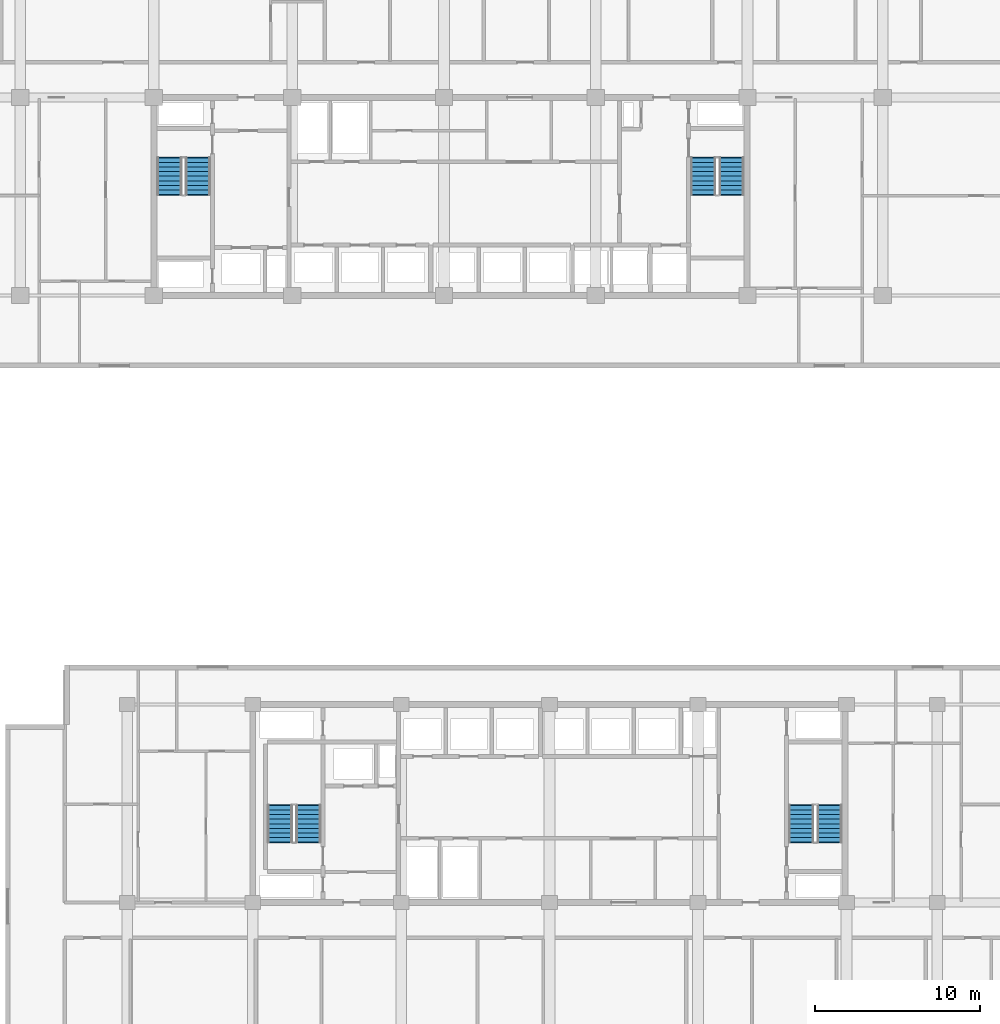
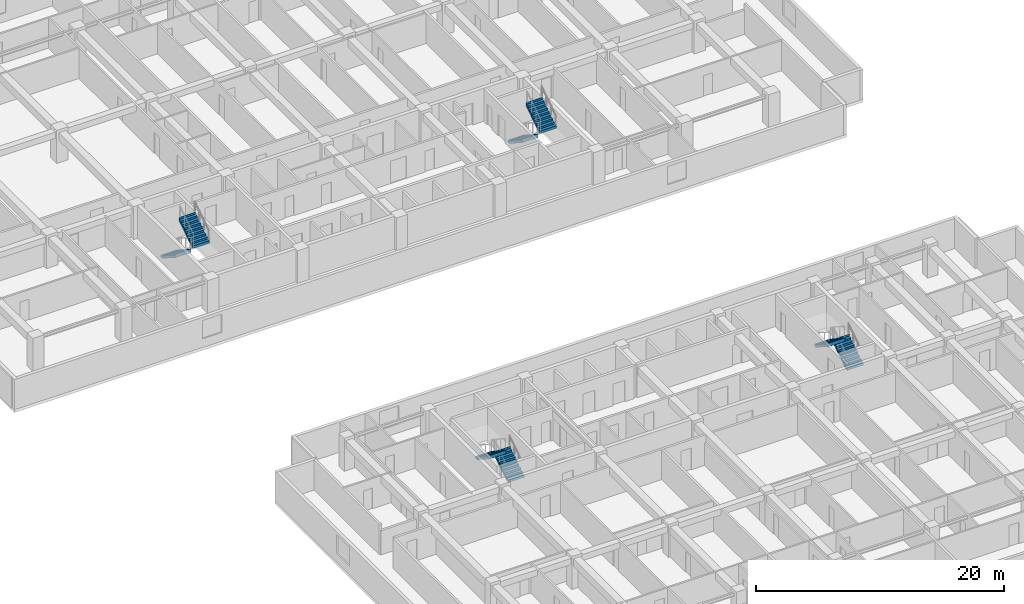
# One storey, part 19 of 24: 8 stair flights, 4 elements without a shape of their own.
"""IFC4 building model written with IfcOpenShell, lengths in metres."""

import ifcopenshell
import ifcopenshell.guid

model = None  # the IFC model being written
_history = None  # IfcOwnerHistory: only IFC2X3 demands one
_inside = {}  # id of a spatial element -> (the spatial element, [elements in it])
_under = {}  # id of a project, library or spatial element -> (it, [spatial elements below it])
_declared = {}  # id of a project -> (the project, [libraries it declares])
_typed = {}  # id of a type object -> (the type object, [elements of that type])
_made_of = {}  # id of a material, layer set ... -> (it, [elements and type objects made of it])


def new_model(schema):
    """Start an empty IFC model of exactly this schema.

    Asked for "IFC4X3", IfcOpenShell would pick the latest addendum, in which some entities
    have other attributes; the version numbers below select the first issue.
    IFC2X3 requires an IfcOwnerHistory on every rooted entity: one is made here for all.
    """
    global model, _history
    if schema == "IFC4X3":
        model = ifcopenshell.file(schema_version=(4, 3, 0, 0))
    else:
        model = ifcopenshell.file(schema=schema)
    _inside.clear()
    _under.clear()
    _declared.clear()
    _typed.clear()
    _made_of.clear()
    _history = None
    if model.schema == "IFC2X3":
        org = make("IfcOrganization", Name="unknown")
        user = make(
            "IfcPersonAndOrganization",
            ThePerson=make("IfcPerson", FamilyName="unknown"),
            TheOrganization=org,
        )
        app = make(
            "IfcApplication",
            ApplicationDeveloper=org,
            Version="unknown",
            ApplicationFullName="unknown",
            ApplicationIdentifier="unknown",
        )
        _history = make(
            "IfcOwnerHistory",
            OwningUser=user,
            OwningApplication=app,
            ChangeAction="ADDED",
            CreationDate=0,
        )
    return model


def make(cls, **values):
    """One entity of the class cls with the attributes given. An attribute that is None is left unset."""
    return model.create_entity(
        cls, **{name: value for name, value in values.items() if value is not None}
    )


def rooted(cls, **values):
    """An entity with a GlobalId (a new one), such as an element, a storey or a relation."""
    return make(cls, GlobalId=ifcopenshell.guid.new(), OwnerHistory=_history, **values)


def si_unit(unit_type, name, prefix=None):
    """IfcSIUnit, for example si_unit("LENGTHUNIT", "METRE", prefix="MILLI")."""
    return make("IfcSIUnit", UnitType=unit_type, Prefix=prefix, Name=name)


def assignment(units):
    """IfcUnitAssignment: the units of a project."""
    return None if units is None else make("IfcUnitAssignment", Units=units)


def point(xyz):
    """IfcCartesianPoint."""
    return None if xyz is None else make("IfcCartesianPoint", Coordinates=xyz)


def direction(xyz):
    """IfcDirection."""
    return None if xyz is None else make("IfcDirection", DirectionRatios=xyz)


def frame(location, z_axis=None, x_axis=None):
    """IfcAxis2Placement3D, a coordinate frame: its origin and axes. An axis left out is left unset."""
    return make(
        "IfcAxis2Placement3D",
        Location=point(location),
        Axis=direction(z_axis),
        RefDirection=direction(x_axis),
    )


def origin():
    """The frame at (0, 0, 0) with its axes left unset."""
    return frame((0.0, 0.0, 0.0))


def place(relative_to, where):
    """IfcLocalPlacement: puts the frame where relative to a parent placement (None: the world)."""
    return make(
        "IfcLocalPlacement", PlacementRelTo=relative_to, RelativePlacement=where
    )


def context(
    kind, dimensions, precision=None, world=None, true_north=None, identifier=None
):
    """IfcGeometricRepresentationContext, for example the 3D "Model" context."""
    return make(
        "IfcGeometricRepresentationContext",
        ContextIdentifier=identifier,
        ContextType=kind,
        CoordinateSpaceDimension=dimensions,
        Precision=precision,
        WorldCoordinateSystem=world,
        TrueNorth=true_north,
    )


def subcontext(parent, identifier, kind, view, scale=None):
    """IfcGeometricRepresentationSubContext, for example "Body" below "Model"."""
    return make(
        "IfcGeometricRepresentationSubContext",
        ContextIdentifier=identifier,
        ContextType=kind,
        ParentContext=parent,
        TargetScale=scale,
        TargetView=view,
    )


def project(units=None, contexts=None):
    """IfcProject with its units and contexts."""
    return rooted(
        "IfcProject",
        Name="project",
        RepresentationContexts=contexts,
        UnitsInContext=assignment(units),
    )


def spatial(cls, under=None, at=None, **own):
    """A site, building, storey or space (cls), placed at a placement, below another one or the project."""
    s = rooted(cls, ObjectPlacement=at, **own)
    if under is not None:
        _under.setdefault(under.id(), (under, []))[1].append(s)
    return s


def polyline(points):
    """IfcPolyline through the points."""
    return make("IfcPolyline", Points=[point(p) for p in points])


def outline(outer, holes=None, kind="AREA"):
    """IfcArbitraryClosedProfileDef: a profile drawn as a closed curve; with holes, ...WithVoids."""
    if holes is None:
        return make("IfcArbitraryClosedProfileDef", ProfileType=kind, OuterCurve=outer)
    return make(
        "IfcArbitraryProfileDefWithVoids",
        ProfileType=kind,
        OuterCurve=outer,
        InnerCurves=holes,
    )


def extrude(swept, where, along, depth):
    """IfcExtrudedAreaSolid: the profile swept, set in the frame where, extruded along a direction by depth."""
    return make(
        "IfcExtrudedAreaSolid",
        SweptArea=swept,
        Position=where,
        ExtrudedDirection=direction(along),
        Depth=depth,
    )


def shape(context_of_items, identifier, shape_type, items):
    """IfcShapeRepresentation: the items that make up one representation, for example the "Body"."""
    return make(
        "IfcShapeRepresentation",
        ContextOfItems=context_of_items,
        RepresentationIdentifier=identifier,
        RepresentationType=shape_type,
        Items=items,
    )


def material(Name=None, Category=None):
    """IfcMaterial."""
    return make("IfcMaterial", Name=Name, Category=Category)


def made_of(thing, what):
    """Note that an element or type object is made of a material, layer set ...; save() writes the relation."""
    if what is not None:
        _made_of.setdefault(what.id(), (what, []))[1].append(thing)
    return thing


def type_object(cls, material=None, **own):
    """A type object (cls), such as IfcWallType, which elements share."""
    return made_of(rooted(cls, **own), material)


def element(
    cls,
    number,
    at=None,
    inside=None,
    cuts=None,
    type_object=None,
    material=None,
    context=None,
    identifier="Body",
    shape_type=None,
    held_by="IfcProductDefinitionShape",
    body=None,
    shapes=None,
    **own,
):
    """One element of the class cls, such as IfcWall. Its Tag is "e" and its number.

    at: its placement. inside: the storey or other place that contains it. cuts: it is an
    opening in that element (IfcRelVoidsElement). A single representation is given by context,
    identifier, shape_type and body (its items); several are given by shapes. held_by: the class
    of the entity that holds the representations. save() writes the other relations.
    """
    e = rooted(cls, Tag="e%d" % number, ObjectPlacement=at, **own)
    if body is not None:
        shapes = [shape(context, identifier, shape_type, body)]
    if shapes is not None:
        e.Representation = make(held_by, Representations=shapes)
    if inside is not None:
        _inside.setdefault(inside.id(), (inside, []))[1].append(e)
    if cuts is not None:
        rooted(
            "IfcRelVoidsElement", RelatingBuildingElement=cuts, RelatedOpeningElement=e
        )
    if type_object is not None:
        _typed.setdefault(type_object.id(), (type_object, []))[1].append(e)
    return made_of(e, material)


def aggregate(whole, parts):
    """IfcRelAggregates: a whole, such as a stair, and the parts it consists of."""
    return rooted("IfcRelAggregates", RelatingObject=whole, RelatedObjects=parts)


def save(model, path):
    """Write the relations noted so far, then the file.

    IfcRelAggregates (storeys below a building ...), IfcRelContainedInSpatialStructure (elements
    in a storey), IfcRelDefinesByType, IfcRelAssociatesMaterial and IfcRelDeclares: one each for
    every whole, place, type object, material and project.
    """
    for whole, parts in _under.values():
        aggregate(whole, parts)
    for where, things in _inside.values():
        rooted(
            "IfcRelContainedInSpatialStructure",
            RelatedElements=things,
            RelatingStructure=where,
        )
    for kind, things in _typed.values():
        rooted("IfcRelDefinesByType", RelatedObjects=things, RelatingType=kind)
    for what, things in _made_of.values():
        rooted("IfcRelAssociatesMaterial", RelatedObjects=things, RelatingMaterial=what)
    for by, libraries in _declared.values():
        rooted("IfcRelDeclares", RelatingContext=by, RelatedDefinitions=libraries)
    model.write(path)


model = new_model("IFC4")

# Units and contexts
model_context = context("Model", 3, precision=1e-05, world=origin(), true_north=direction((0.0, 1.0)))
body_context = subcontext(model_context, "Body", "Model", "MODEL_VIEW")
ifc_project = project(units=[si_unit("LENGTHUNIT", "METRE"), si_unit("AREAUNIT", "SQUARE_METRE"), si_unit("VOLUMEUNIT", "CUBIC_METRE"), si_unit("PLANEANGLEUNIT", "RADIAN"), si_unit("MASSUNIT", "GRAM", prefix="KILO")], contexts=[model_context])

# Site, building, storey
site_placement = place(None, origin())
site = spatial("IfcSite", under=ifc_project, at=site_placement, CompositionType="ELEMENT")
building_placement = place(site_placement, origin())
building = spatial("IfcBuilding", under=site, at=building_placement, Name="Korimba Cascade Residences", CompositionType="ELEMENT")
storey_placement = place(building_placement, frame((0.0, 0.0, 63.0)))
storey = spatial("IfcBuildingStorey", under=building, at=storey_placement, Name="L17", CompositionType="ELEMENT", Elevation=63.0)

# Stair, stair flights
ifc_material = material(Name="Concrete C50/60", Category="concrete")
stair_type_1 = type_object("IfcStairType", Name="STR-W1-18R-1806", PredefinedType="HALF_TURN_STAIR", material=ifc_material)
stair_1_placement = place(storey_placement, origin())
stair_1 = element("IfcStair", 1, at=stair_1_placement, inside=storey, type_object=stair_type_1, Name="L17 Tower 1 West Fire Stair ST-W1", PredefinedType="HALF_TURN_STAIR")
stair_flight_type = type_object("IfcStairFlightType", Name="STF-DL-18R-1806-1520", PredefinedType="STRAIGHT", material=ifc_material)
stair_flight_1_placement = place(storey_placement, frame((77.06005859375, 63.550048828125, 0.0), z_axis=(0.0, 0.0, 1.0), x_axis=(0.0, -1.0, 0.0)))
stair_flight_1 = element("IfcStairFlight", 2, at=stair_flight_1_placement, type_object=stair_flight_type, Name="ST-W1 flight 1", NumberOfRisers=9, NumberOfTreads=8, PredefinedType="STRAIGHT", RiserHeight=0.180555556, TreadLength=0.28, context=body_context, shape_type="SweptSolid", body=[
    extrude(outline(polyline([(-0.0380859375, 0.0), (0.0, 0.1806640625), (0.280029296875, 0.1806640625), (0.280029296875, 0.361083984375), (0.56005859375, 0.361083984375), (0.56005859375, 0.541748046875), (0.840087890625, 0.541748046875), (0.840087890625, 0.72216796875), (1.1201171875, 0.72216796875), (1.1201171875, 0.90283203125), (1.39990234375, 0.90283203125), (1.39990234375, 1.083251953125), (1.679931640625, 1.083251953125), (1.679931640625, 1.263916015625), (1.9599609375, 1.263916015625), (1.9599609375, 1.4443359375), (2.239990234375, 1.4443359375), (2.239990234375, 1.625), (2.278076171875, 1.625), (2.278076171875, 1.26611328125), (0.276611328125, 0.0), (0.276611328125, -0.0380859375), (-0.0380859375, -0.0380859375), (-0.0380859375, 0.0)])), frame((0.0, 0.760009765625, 0.0), z_axis=(0.0, -1.0, 0.0), x_axis=(1.0, 0.0, 0.0)), (0.0, 0.0, 1.0), 1.52001953125),
])
stair_flight_2_placement = place(storey_placement, frame((78.780029296875, 61.31005859375, 1.625), z_axis=(0.0, 0.0, 1.0), x_axis=(0.0, 1.0, 0.0)))
stair_flight_2 = element("IfcStairFlight", 3, at=stair_flight_2_placement, type_object=stair_flight_type, Name="ST-W1 flight 2", NumberOfRisers=9, NumberOfTreads=8, PredefinedType="STRAIGHT", RiserHeight=0.180555556, TreadLength=0.28, context=body_context, shape_type="SweptSolid", body=[
    extrude(outline(polyline([(-0.0380859375, 0.0), (0.0, 0.1806640625), (0.280029296875, 0.1806640625), (0.280029296875, 0.361083984375), (0.56005859375, 0.361083984375), (0.56005859375, 0.541748046875), (0.840087890625, 0.541748046875), (0.840087890625, 0.72216796875), (1.1201171875, 0.72216796875), (1.1201171875, 0.90283203125), (1.39990234375, 0.90283203125), (1.39990234375, 1.083251953125), (1.679931640625, 1.083251953125), (1.679931640625, 1.263916015625), (1.9599609375, 1.263916015625), (1.9599609375, 1.4443359375), (2.239990234375, 1.4443359375), (2.239990234375, 1.625), (2.278076171875, 1.625), (2.278076171875, 1.26611328125), (0.276611328125, 0.0), (0.276611328125, -0.0380859375), (-0.0380859375, -0.0380859375), (-0.0380859375, 0.0)])), frame((0.0, 0.760009765625, 0.0), z_axis=(0.0, -1.0, 0.0), x_axis=(1.0, 0.0, 0.0)), (0.0, 0.0, 1.0), 1.52001953125),
])
aggregate(stair_1, [stair_flight_1, stair_flight_2])

stair_type_2 = type_object("IfcStairType", Name="STR-W2-18R-1806", PredefinedType="HALF_TURN_STAIR", material=ifc_material)
stair_2_placement = place(storey_placement, origin())
stair_2 = element("IfcStair", 4, at=stair_2_placement, inside=storey, type_object=stair_type_2, Name="L17 Tower 1 East Fire Stair ST-W2", PredefinedType="HALF_TURN_STAIR")
stair_flight_3_placement = place(storey_placement, frame((109.419921875, 63.550048828125, 0.0), z_axis=(0.0, 0.0, 1.0), x_axis=(0.0, -1.0, 0.0)))
stair_flight_3 = element("IfcStairFlight", 5, at=stair_flight_3_placement, type_object=stair_flight_type, Name="ST-W2 flight 1", NumberOfRisers=9, NumberOfTreads=8, PredefinedType="STRAIGHT", RiserHeight=0.180555556, TreadLength=0.28, context=body_context, shape_type="SweptSolid", body=[
    extrude(outline(polyline([(-0.0380859375, 0.0), (0.0, 0.1806640625), (0.280029296875, 0.1806640625), (0.280029296875, 0.361083984375), (0.56005859375, 0.361083984375), (0.56005859375, 0.541748046875), (0.840087890625, 0.541748046875), (0.840087890625, 0.72216796875), (1.1201171875, 0.72216796875), (1.1201171875, 0.90283203125), (1.39990234375, 0.90283203125), (1.39990234375, 1.083251953125), (1.679931640625, 1.083251953125), (1.679931640625, 1.263916015625), (1.9599609375, 1.263916015625), (1.9599609375, 1.4443359375), (2.239990234375, 1.4443359375), (2.239990234375, 1.625), (2.278076171875, 1.625), (2.278076171875, 1.26611328125), (0.276611328125, 0.0), (0.276611328125, -0.0380859375), (-0.0380859375, -0.0380859375), (-0.0380859375, 0.0)])), frame((0.0, 0.760009765625, 0.0), z_axis=(0.0, -1.0, 0.0), x_axis=(1.0, 0.0, 0.0)), (0.0, 0.0, 1.0), 1.52001953125),
])
stair_flight_4_placement = place(storey_placement, frame((111.139892578125, 61.31005859375, 1.625), z_axis=(0.0, 0.0, 1.0), x_axis=(0.0, 1.0, 0.0)))
stair_flight_4 = element("IfcStairFlight", 6, at=stair_flight_4_placement, type_object=stair_flight_type, Name="ST-W2 flight 2", NumberOfRisers=9, NumberOfTreads=8, PredefinedType="STRAIGHT", RiserHeight=0.180555556, TreadLength=0.28, context=body_context, shape_type="SweptSolid", body=[
    extrude(outline(polyline([(-0.0380859375, 0.0), (0.0, 0.1806640625), (0.280029296875, 0.1806640625), (0.280029296875, 0.361083984375), (0.56005859375, 0.361083984375), (0.56005859375, 0.541748046875), (0.840087890625, 0.541748046875), (0.840087890625, 0.72216796875), (1.1201171875, 0.72216796875), (1.1201171875, 0.90283203125), (1.39990234375, 0.90283203125), (1.39990234375, 1.083251953125), (1.679931640625, 1.083251953125), (1.679931640625, 1.263916015625), (1.9599609375, 1.263916015625), (1.9599609375, 1.4443359375), (2.239990234375, 1.4443359375), (2.239990234375, 1.625), (2.278076171875, 1.625), (2.278076171875, 1.26611328125), (0.276611328125, 0.0), (0.276611328125, -0.0380859375), (-0.0380859375, -0.0380859375), (-0.0380859375, 0.0)])), frame((0.0, 0.760009765625, 0.0), z_axis=(0.0, -1.0, 0.0), x_axis=(1.0, 0.0, 0.0)), (0.0, 0.0, 1.0), 1.52001953125),
])
aggregate(stair_2, [stair_flight_3, stair_flight_4])

stair_type_3 = type_object("IfcStairType", Name="STR-E1-18R-1806", PredefinedType="HALF_TURN_STAIR", material=ifc_material)
stair_3_placement = place(storey_placement, origin())
stair_3 = element("IfcStair", 7, at=stair_3_placement, inside=storey, type_object=stair_type_3, Name="L17 Tower 2 West Fire Stair ST-E1", PredefinedType="HALF_TURN_STAIR")
stair_flight_5_placement = place(storey_placement, frame((85.47998046875, 22.050048828125, 0.0), z_axis=(0.0, 0.0, 1.0), x_axis=(0.0, 1.0, 0.0)))
stair_flight_5 = element("IfcStairFlight", 8, at=stair_flight_5_placement, type_object=stair_flight_type, Name="ST-E1 flight 1", NumberOfRisers=9, NumberOfTreads=8, PredefinedType="STRAIGHT", RiserHeight=0.180555556, TreadLength=0.28, context=body_context, shape_type="SweptSolid", body=[
    extrude(outline(polyline([(-0.0380859375, 0.0), (0.0, 0.1806640625), (0.280029296875, 0.1806640625), (0.280029296875, 0.361083984375), (0.56005859375, 0.361083984375), (0.56005859375, 0.541748046875), (0.840087890625, 0.541748046875), (0.840087890625, 0.72216796875), (1.1201171875, 0.72216796875), (1.1201171875, 0.90283203125), (1.39990234375, 0.90283203125), (1.39990234375, 1.083251953125), (1.679931640625, 1.083251953125), (1.679931640625, 1.263916015625), (1.9599609375, 1.263916015625), (1.9599609375, 1.4443359375), (2.239990234375, 1.4443359375), (2.239990234375, 1.625), (2.278076171875, 1.625), (2.278076171875, 1.26611328125), (0.276611328125, 0.0), (0.276611328125, -0.0380859375), (-0.0380859375, -0.0380859375), (-0.0380859375, 0.0)])), frame((0.0, 0.760009765625, 0.0), z_axis=(0.0, -1.0, 0.0), x_axis=(1.0, 0.0, 0.0)), (0.0, 0.0, 1.0), 1.52001953125),
])
stair_flight_6_placement = place(storey_placement, frame((83.760009765625, 24.2900390625, 1.625), z_axis=(0.0, 0.0, 1.0), x_axis=(0.0, -1.0, 0.0)))
stair_flight_6 = element("IfcStairFlight", 9, at=stair_flight_6_placement, type_object=stair_flight_type, Name="ST-E1 flight 2", NumberOfRisers=9, NumberOfTreads=8, PredefinedType="STRAIGHT", RiserHeight=0.180555556, TreadLength=0.28, context=body_context, shape_type="SweptSolid", body=[
    extrude(outline(polyline([(-0.0380859375, 0.0), (0.0, 0.1806640625), (0.280029296875, 0.1806640625), (0.280029296875, 0.361083984375), (0.56005859375, 0.361083984375), (0.56005859375, 0.541748046875), (0.840087890625, 0.541748046875), (0.840087890625, 0.72216796875), (1.1201171875, 0.72216796875), (1.1201171875, 0.90283203125), (1.39990234375, 0.90283203125), (1.39990234375, 1.083251953125), (1.679931640625, 1.083251953125), (1.679931640625, 1.263916015625), (1.9599609375, 1.263916015625), (1.9599609375, 1.4443359375), (2.239990234375, 1.4443359375), (2.239990234375, 1.625), (2.278076171875, 1.625), (2.278076171875, 1.26611328125), (0.276611328125, 0.0), (0.276611328125, -0.0380859375), (-0.0380859375, -0.0380859375), (-0.0380859375, 0.0)])), frame((0.0, 0.760009765625, 0.0), z_axis=(0.0, -1.0, 0.0), x_axis=(1.0, 0.0, 0.0)), (0.0, 0.0, 1.0), 1.52001953125),
])
aggregate(stair_3, [stair_flight_5, stair_flight_6])

stair_type_4 = type_object("IfcStairType", Name="STR-E2-18R-1806", PredefinedType="HALF_TURN_STAIR", material=ifc_material)
stair_4_placement = place(storey_placement, origin())
stair_4 = element("IfcStair", 10, at=stair_4_placement, inside=storey, type_object=stair_type_4, Name="L17 Tower 2 East Fire Stair ST-E2", PredefinedType="HALF_TURN_STAIR")
stair_flight_7_placement = place(storey_placement, frame((117.080078125, 22.050048828125, 0.0), z_axis=(0.0, 0.0, 1.0), x_axis=(0.0, 1.0, 0.0)))
stair_flight_7 = element("IfcStairFlight", 11, at=stair_flight_7_placement, type_object=stair_flight_type, Name="ST-E2 flight 1", NumberOfRisers=9, NumberOfTreads=8, PredefinedType="STRAIGHT", RiserHeight=0.180555556, TreadLength=0.28, context=body_context, shape_type="SweptSolid", body=[
    extrude(outline(polyline([(-0.0380859375, 0.0), (0.0, 0.1806640625), (0.280029296875, 0.1806640625), (0.280029296875, 0.361083984375), (0.56005859375, 0.361083984375), (0.56005859375, 0.541748046875), (0.840087890625, 0.541748046875), (0.840087890625, 0.72216796875), (1.1201171875, 0.72216796875), (1.1201171875, 0.90283203125), (1.39990234375, 0.90283203125), (1.39990234375, 1.083251953125), (1.679931640625, 1.083251953125), (1.679931640625, 1.263916015625), (1.9599609375, 1.263916015625), (1.9599609375, 1.4443359375), (2.239990234375, 1.4443359375), (2.239990234375, 1.625), (2.278076171875, 1.625), (2.278076171875, 1.26611328125), (0.276611328125, 0.0), (0.276611328125, -0.0380859375), (-0.0380859375, -0.0380859375), (-0.0380859375, 0.0)])), frame((0.0, 0.760009765625, 0.0), z_axis=(0.0, -1.0, 0.0), x_axis=(1.0, 0.0, 0.0)), (0.0, 0.0, 1.0), 1.52001953125),
])
stair_flight_8_placement = place(storey_placement, frame((115.360107421875, 24.2900390625, 1.625), z_axis=(0.0, 0.0, 1.0), x_axis=(0.0, -1.0, 0.0)))
stair_flight_8 = element("IfcStairFlight", 12, at=stair_flight_8_placement, type_object=stair_flight_type, Name="ST-E2 flight 2", NumberOfRisers=9, NumberOfTreads=8, PredefinedType="STRAIGHT", RiserHeight=0.180555556, TreadLength=0.28, context=body_context, shape_type="SweptSolid", body=[
    extrude(outline(polyline([(-0.0380859375, 0.0), (0.0, 0.1806640625), (0.280029296875, 0.1806640625), (0.280029296875, 0.361083984375), (0.56005859375, 0.361083984375), (0.56005859375, 0.541748046875), (0.840087890625, 0.541748046875), (0.840087890625, 0.72216796875), (1.1201171875, 0.72216796875), (1.1201171875, 0.90283203125), (1.39990234375, 0.90283203125), (1.39990234375, 1.083251953125), (1.679931640625, 1.083251953125), (1.679931640625, 1.263916015625), (1.9599609375, 1.263916015625), (1.9599609375, 1.4443359375), (2.239990234375, 1.4443359375), (2.239990234375, 1.625), (2.278076171875, 1.625), (2.278076171875, 1.26611328125), (0.276611328125, 0.0), (0.276611328125, -0.0380859375), (-0.0380859375, -0.0380859375), (-0.0380859375, 0.0)])), frame((0.0, 0.760009765625, 0.0), z_axis=(0.0, -1.0, 0.0), x_axis=(1.0, 0.0, 0.0)), (0.0, 0.0, 1.0), 1.52001953125),
])
aggregate(stair_4, [stair_flight_7, stair_flight_8])

save(model, "model.ifc")
